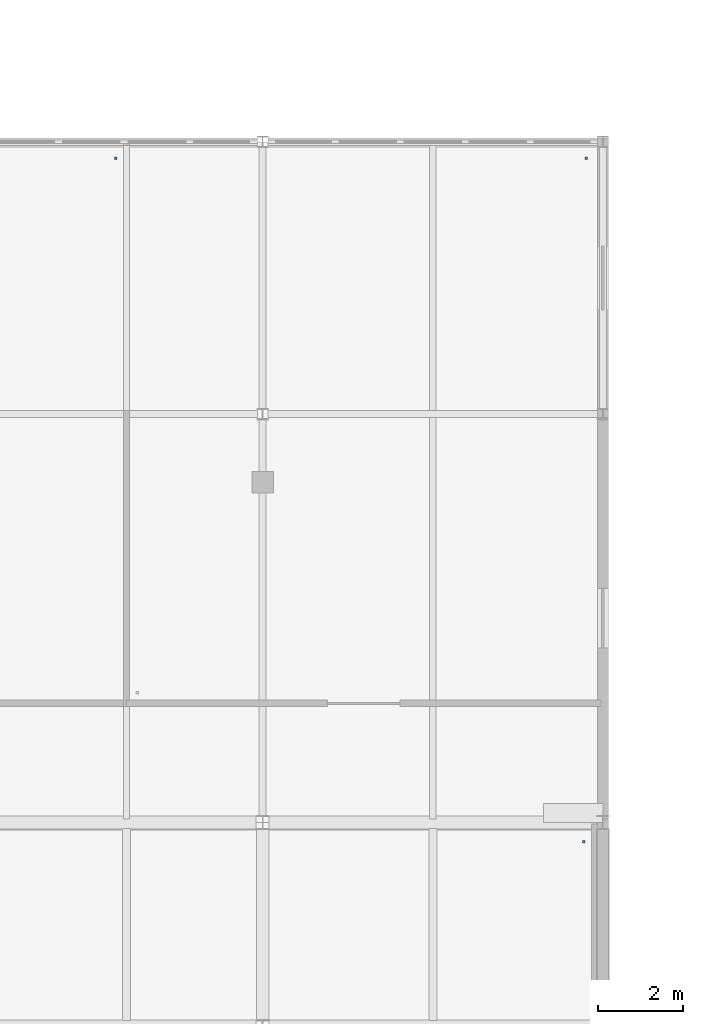
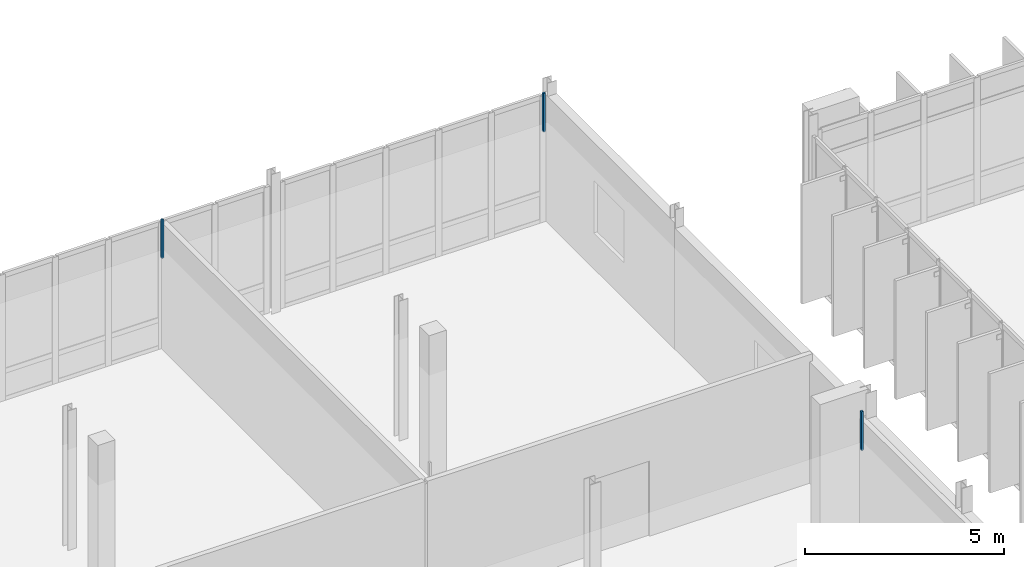
# One storey, part 79 of 107: 3 discrete accessories.
"""IFC4 building model written with IfcOpenShell, lengths in metres."""

from ifc_helpers import new_model, si_unit, direction, frame, origin, place, context, subcontext, project, spatial, polyline, outline, extrude, material, type_object, element, save


model = new_model("IFC4")

# Units and contexts
model_context = context("Model", 3, precision=1e-05, world=origin(), true_north=direction((0.0, 1.0)))
body_context = subcontext(model_context, "Body", "Model", "MODEL_VIEW")
ifc_project = project(units=[si_unit("LENGTHUNIT", "METRE"), si_unit("AREAUNIT", "SQUARE_METRE"), si_unit("VOLUMEUNIT", "CUBIC_METRE"), si_unit("PLANEANGLEUNIT", "RADIAN"), si_unit("MASSUNIT", "GRAM", prefix="KILO")], contexts=[model_context])

# Site, building, storey
site_placement = place(None, origin())
site = spatial("IfcSite", under=ifc_project, at=site_placement, CompositionType="ELEMENT")
building_placement = place(site_placement, origin())
building = spatial("IfcBuilding", under=site, at=building_placement, Name="Dunescarp Central Library", CompositionType="ELEMENT")
storey_placement = place(building_placement, frame((0.0, 0.0, 5.10009765625)))
storey = spatial("IfcBuildingStorey", under=building, at=storey_placement, Name="L01", CompositionType="ELEMENT", Elevation=5.10009765625)

# Discrete accessories
ifc_material = material(Name="Stainless steel Grade 316L", Category="steel")
discrete_accessory_type = type_object("IfcDiscreteAccessoryType", Name="ARC-ACC-BRK", PredefinedType="BRACKET", material=ifc_material)
discrete_accessory_1_placement = place(storey_placement, frame((0.0, 0.0, 3.059814453125)))
element("IfcDiscreteAccessory", 1, at=discrete_accessory_1_placement, inside=storey, type_object=discrete_accessory_type, Name="L01 ceiling hanger CLG-L01-098-H2", PredefinedType="BRACKET", context=body_context, shape_type="SweptSolid", body=[
    extrude(outline(polyline([(124.320068359375, 33.1201171875), (124.3798828125, 33.1201171875), (124.3798828125, 33.179931640625), (124.320068359375, 33.179931640625), (124.320068359375, 33.1201171875)])), origin(), (0.0, 0.0, 1.0), 1.190185546875),
])
discrete_accessory_2_placement = place(storey_placement, frame((0.0, 0.0, 3.059814453125)))
element("IfcDiscreteAccessory", 2, at=discrete_accessory_2_placement, inside=storey, type_object=discrete_accessory_type, Name="L01 ceiling hanger CLG-L01-117-H2", PredefinedType="BRACKET", context=body_context, shape_type="SweptSolid", body=[
    extrude(outline(polyline([(113.320068359375, 49.179931640625), (113.3798828125, 49.179931640625), (113.3798828125, 49.239990234375), (113.320068359375, 49.239990234375), (113.320068359375, 49.179931640625)])), origin(), (0.0, 0.0, 1.0), 1.18017578125),
])
discrete_accessory_3_placement = place(storey_placement, frame((0.0, 0.0, 3.059814453125)))
element("IfcDiscreteAccessory", 3, at=discrete_accessory_3_placement, inside=storey, type_object=discrete_accessory_type, Name="L01 ceiling hanger CLG-L01-118-H2", PredefinedType="BRACKET", context=body_context, shape_type="SweptSolid", body=[
    extrude(outline(polyline([(124.3798828125, 49.179931640625), (124.43994140625, 49.179931640625), (124.43994140625, 49.239990234375), (124.3798828125, 49.239990234375), (124.3798828125, 49.179931640625)])), origin(), (0.0, 0.0, 1.0), 1.18017578125),
])

save(model, "model.ifc")
